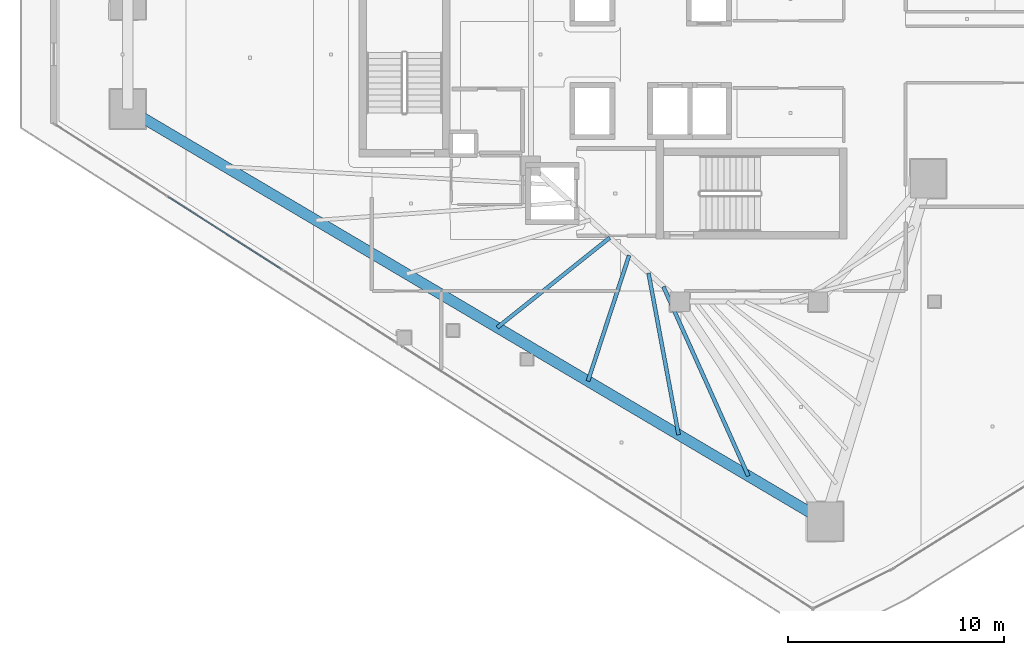
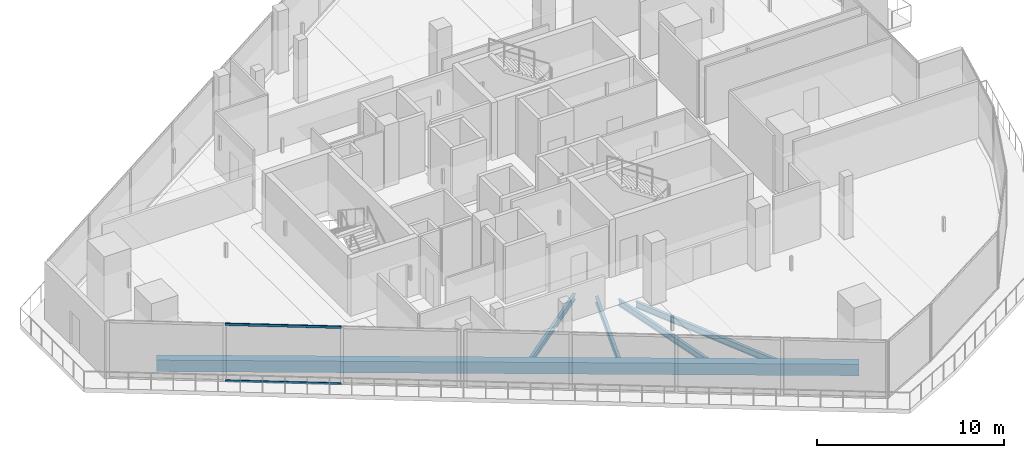
# One storey, part 5 of 34: 5 beams, 2 members, 1 element without a shape of its own.
"""IFC4 building model written with IfcOpenShell, lengths in metres."""

from ifc_helpers import new_model, si_unit, direction, frame, origin, origin_2d, place, context, subcontext, project, spatial, rectangle, hollow_rectangle, i_section, extrude, material, layer, layer_set, material_profile, profile_set, type_object, element, aggregate, save


model = new_model("IFC4")

# Units and contexts
model_context = context("Model", 3, precision=1e-05, world=origin(), true_north=direction((0.0, 1.0)))
body_context = subcontext(model_context, "Body", "Model", "MODEL_VIEW")
ifc_project = project(units=[si_unit("LENGTHUNIT", "METRE"), si_unit("AREAUNIT", "SQUARE_METRE"), si_unit("VOLUMEUNIT", "CUBIC_METRE"), si_unit("PLANEANGLEUNIT", "RADIAN"), si_unit("MASSUNIT", "GRAM", prefix="KILO")], contexts=[model_context])

# Site, building, storey
site_placement = place(None, origin())
site = spatial("IfcSite", under=ifc_project, at=site_placement, CompositionType="ELEMENT")
building_placement = place(site_placement, origin())
building = spatial("IfcBuilding", under=site, at=building_placement, Name="Qorvath Tower", CompositionType="ELEMENT")
storey_placement = place(building_placement, frame((0.0, 0.0, 245.550048828125)))
storey = spatial("IfcBuildingStorey", under=building, at=storey_placement, Name="L57", CompositionType="ELEMENT", Elevation=245.550048828125)

# Beams
ifc_material_1 = material(Name="Steel ASTM A992 Grade 50", Category="steel")
ifc_material_profile_1 = material_profile(ifc_material_1, i_section(OverallWidth=0.177978515625, OverallDepth=0.406005859375, WebThickness=0.0078125, FlangeThickness=0.0126953125, FilletRadius=0.010986328125, at=origin_2d()), Name="W16x40")
ifc_profile_set_1 = profile_set([ifc_material_profile_1], Name="Steel ASTM A992 Grade 50")
beam_type_1 = type_object("IfcBeamType", Name="BM-FJ3", PredefinedType="JOIST", material=ifc_profile_set_1)
beam_1_placement = place(storey_placement, frame((-26.843017578125, -8.489013671875, -0.47314453125), z_axis=(-0.781336553339, -0.624109918537, 0.0), x_axis=(0.624109918537, -0.781336553339, 0.0)))
element("IfcBeam", 1, at=beam_1_placement, inside=storey, type_object=beam_type_1, Name="Composite Floor Joist SW4 L57", PredefinedType="JOIST", context=body_context, shape_type="SweptSolid", body=[
    extrude(i_section(OverallWidth=0.177978515625, OverallDepth=0.406005859375, WebThickness=0.0078125, FlangeThickness=0.0126953125, FilletRadius=0.010986328125, at=origin_2d()), origin(), (0.0, 0.0, 1.0), 6.667724609375),
])
beam_2_placement = place(storey_placement, frame((-25.946044921875, -9.30810546875, -0.47314453125), z_axis=(-0.311228747452, -0.950335028692, 0.0), x_axis=(0.950335028692, -0.311228747452, 0.0)))
element("IfcBeam", 2, at=beam_2_placement, inside=storey, type_object=beam_type_1, Name="Composite Floor Joist SW5 L57", PredefinedType="JOIST", context=body_context, shape_type="SweptSolid", body=[
    extrude(i_section(OverallWidth=0.177978515625, OverallDepth=0.406005859375, WebThickness=0.0078125, FlangeThickness=0.0126953125, FilletRadius=0.010986328125, at=origin_2d()), origin(), (0.0, 0.0, 1.0), 6.129638671875),
])
beam_3_placement = place(storey_placement, frame((-25.049072265625, -10.126953125, -0.47314453125), z_axis=(0.183026775988, -0.983107928598, 0.0), x_axis=(0.983107928598, 0.183026775988, 0.0)))
element("IfcBeam", 3, at=beam_3_placement, inside=storey, type_object=beam_type_1, Name="Composite Floor Joist SW6 L57", PredefinedType="JOIST", context=body_context, shape_type="SweptSolid", body=[
    extrude(i_section(OverallWidth=0.177978515625, OverallDepth=0.406005859375, WebThickness=0.0078125, FlangeThickness=0.0126953125, FilletRadius=0.010986328125, at=origin_2d()), origin(), (0.0, 0.0, 1.0), 7.617919921875),
])
beam_4_placement = place(storey_placement, frame((-24.35888671875, -10.757080078125, -0.47314453125), z_axis=(0.409327209141, -0.912387656568, 0.0), x_axis=(0.912387656568, 0.409327209141, 0.0)))
element("IfcBeam", 4, at=beam_4_placement, inside=storey, type_object=beam_type_1, Name="Composite Floor Joist SW7 L57", PredefinedType="JOIST", context=body_context, shape_type="SweptSolid", body=[
    extrude(i_section(OverallWidth=0.177978515625, OverallDepth=0.406005859375, WebThickness=0.0078125, FlangeThickness=0.0126953125, FilletRadius=0.010986328125, at=origin_2d()), origin(), (0.0, 0.0, 1.0), 9.611083984375),
])
ifc_material_2 = material(Name="Concrete C45/55", Category="concrete")
ifc_material_profile_2 = material_profile(ifc_material_2, rectangle(XDim=0.5, YDim=0.75, at=origin_2d()), Name="RCB 750x500")
ifc_profile_set_2 = profile_set([ifc_material_profile_2], Name="Concrete C45/55")
beam_type_2 = type_object("IfcBeamType", Name="BM-RCB3", PredefinedType="SPANDREL", material=ifc_profile_set_2)
beam_5_placement = place(storey_placement, frame((-49.171875, -2.52783203125, -0.64501953125), z_axis=(0.860776759786, -0.50898268125, 0.0), x_axis=(0.50898268125, 0.860776759786, 0.0)))
element("IfcBeam", 5, at=beam_5_placement, inside=storey, type_object=beam_type_2, Name="Perimeter Loggia Frame Beam MC2-MC3 L57", PredefinedType="SPANDREL", context=body_context, shape_type="SweptSolid", body=[
    extrude(rectangle(XDim=0.5, YDim=0.75, at=origin_2d()), origin(), (0.0, 0.0, 1.0), 37.524658203125),
])

# Curtain wall, members
ifc_material_3 = material(Name="Anodised aluminium and triple low-E glass", Category="aluminium")
ifc_layer = layer(ifc_material_3, 0.179931640625)
ifc_layer_set = layer_set([ifc_layer], Name="CW-SYS-3")
curtain_wall_type = type_object("IfcCurtainWallType", Name="CW-SYS-3", PredefinedType="NOTDEFINED", material=ifc_layer_set)
curtain_wall_placement = place(storey_placement, origin())
curtain_wall = element("IfcCurtainWall", 6, at=curtain_wall_placement, inside=storey, type_object=curtain_wall_type, Name="Curtain Wall CW-3 CW-T-L57-2.1", PredefinedType="NOTDEFINED")
ifc_material_4 = material(Name="Anodised aluminium 6063-T6", Category="aluminium")
ifc_material_profile_3 = material_profile(ifc_material_4, hollow_rectangle(XDim=0.06494140625, YDim=0.159912109375, WallThickness=0.00341796875, InnerFilletRadius=0.00341796875, OuterFilletRadius=0.007080078125, at=origin_2d()), Name="CWT 160x65")
ifc_profile_set_3 = profile_set([ifc_material_profile_3], Name="Anodised aluminium 6063-T6")
member_type = type_object("IfcMemberType", Name="CWT-160", PredefinedType="USERDEFINED", material=ifc_profile_set_3)
member_1_placement = place(storey_placement, frame((-47.284912109375, -6.608154296875, 0.032470703125), z_axis=(0.842609567698, -0.538524945034, 0.0), x_axis=(0.538524945034, 0.842609567698, 0.0)))
member_1 = element("IfcMember", 7, at=member_1_placement, type_object=member_type, Name="CW-3 transom 2.1", ObjectType="TRANSOM", PredefinedType="USERDEFINED", context=body_context, shape_type="SweptSolid", body=[
    extrude(hollow_rectangle(XDim=0.06494140625, YDim=0.159912109375, WallThickness=0.00341796875, InnerFilletRadius=0.00341796875, OuterFilletRadius=0.007080078125, at=origin_2d()), origin(), (0.0, 0.0, 1.0), 6.2119140625),
])
member_2_placement = place(storey_placement, frame((-47.284912109375, -6.608154296875, 3.717529296875), z_axis=(0.842609567698, -0.538524945034, 0.0), x_axis=(0.538524945034, 0.842609567698, 0.0)))
member_2 = element("IfcMember", 8, at=member_2_placement, type_object=member_type, Name="CW-3 transom 2.2", ObjectType="TRANSOM", PredefinedType="USERDEFINED", context=body_context, shape_type="SweptSolid", body=[
    extrude(hollow_rectangle(XDim=0.06494140625, YDim=0.159912109375, WallThickness=0.00341796875, InnerFilletRadius=0.00341796875, OuterFilletRadius=0.007080078125, at=origin_2d()), origin(), (0.0, 0.0, 1.0), 6.2119140625),
])
aggregate(curtain_wall, [member_1, member_2])

save(model, "model.ifc")
